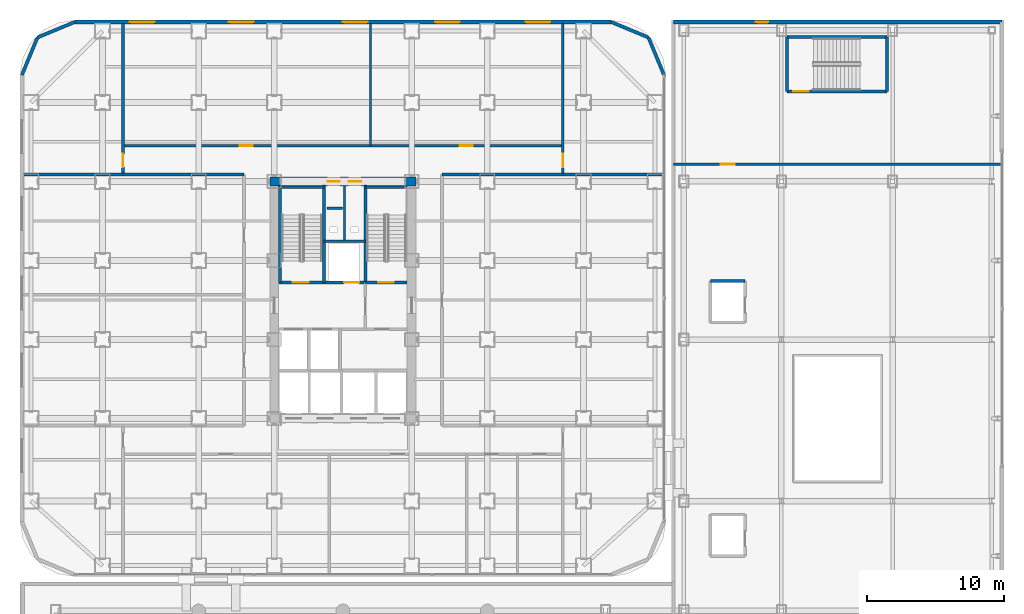
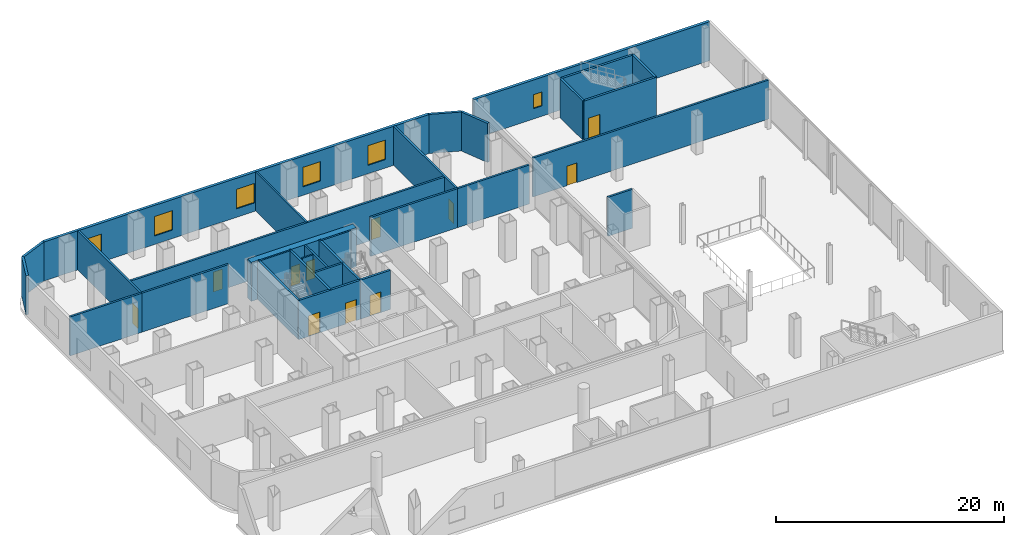
# One storey, part 21 of 26: 31 walls, 11 doors, 6 windows, 17 openings.
"""IFC4 building model written with IfcOpenShell, lengths in metres."""

import ifcopenshell
import ifcopenshell.guid

model = None  # the IFC model being written
_history = None  # IfcOwnerHistory: only IFC2X3 demands one
_inside = {}  # id of a spatial element -> (the spatial element, [elements in it])
_under = {}  # id of a project, library or spatial element -> (it, [spatial elements below it])
_declared = {}  # id of a project -> (the project, [libraries it declares])
_typed = {}  # id of a type object -> (the type object, [elements of that type])
_made_of = {}  # id of a material, layer set ... -> (it, [elements and type objects made of it])


def new_model(schema):
    """Start an empty IFC model of exactly this schema.

    Asked for "IFC4X3", IfcOpenShell would pick the latest addendum, in which some entities
    have other attributes; the version numbers below select the first issue.
    IFC2X3 requires an IfcOwnerHistory on every rooted entity: one is made here for all.
    """
    global model, _history
    if schema == "IFC4X3":
        model = ifcopenshell.file(schema_version=(4, 3, 0, 0))
    else:
        model = ifcopenshell.file(schema=schema)
    _inside.clear()
    _under.clear()
    _declared.clear()
    _typed.clear()
    _made_of.clear()
    _history = None
    if model.schema == "IFC2X3":
        org = make("IfcOrganization", Name="unknown")
        user = make(
            "IfcPersonAndOrganization",
            ThePerson=make("IfcPerson", FamilyName="unknown"),
            TheOrganization=org,
        )
        app = make(
            "IfcApplication",
            ApplicationDeveloper=org,
            Version="unknown",
            ApplicationFullName="unknown",
            ApplicationIdentifier="unknown",
        )
        _history = make(
            "IfcOwnerHistory",
            OwningUser=user,
            OwningApplication=app,
            ChangeAction="ADDED",
            CreationDate=0,
        )
    return model


def make(cls, **values):
    """One entity of the class cls with the attributes given. An attribute that is None is left unset."""
    return model.create_entity(
        cls, **{name: value for name, value in values.items() if value is not None}
    )


def rooted(cls, **values):
    """An entity with a GlobalId (a new one), such as an element, a storey or a relation."""
    return make(cls, GlobalId=ifcopenshell.guid.new(), OwnerHistory=_history, **values)


def si_unit(unit_type, name, prefix=None):
    """IfcSIUnit, for example si_unit("LENGTHUNIT", "METRE", prefix="MILLI")."""
    return make("IfcSIUnit", UnitType=unit_type, Prefix=prefix, Name=name)


def assignment(units):
    """IfcUnitAssignment: the units of a project."""
    return None if units is None else make("IfcUnitAssignment", Units=units)


def point(xyz):
    """IfcCartesianPoint."""
    return None if xyz is None else make("IfcCartesianPoint", Coordinates=xyz)


def direction(xyz):
    """IfcDirection."""
    return None if xyz is None else make("IfcDirection", DirectionRatios=xyz)


def frame(location, z_axis=None, x_axis=None):
    """IfcAxis2Placement3D, a coordinate frame: its origin and axes. An axis left out is left unset."""
    return make(
        "IfcAxis2Placement3D",
        Location=point(location),
        Axis=direction(z_axis),
        RefDirection=direction(x_axis),
    )


def frame_2d(location, x_axis=None):
    """IfcAxis2Placement2D, a coordinate frame in the plane: its origin and x axis."""
    return make(
        "IfcAxis2Placement2D", Location=point(location), RefDirection=direction(x_axis)
    )


def origin():
    """The frame at (0, 0, 0) with its axes left unset."""
    return frame((0.0, 0.0, 0.0))


def place(relative_to, where):
    """IfcLocalPlacement: puts the frame where relative to a parent placement (None: the world)."""
    return make(
        "IfcLocalPlacement", PlacementRelTo=relative_to, RelativePlacement=where
    )


def context(
    kind, dimensions, precision=None, world=None, true_north=None, identifier=None
):
    """IfcGeometricRepresentationContext, for example the 3D "Model" context."""
    return make(
        "IfcGeometricRepresentationContext",
        ContextIdentifier=identifier,
        ContextType=kind,
        CoordinateSpaceDimension=dimensions,
        Precision=precision,
        WorldCoordinateSystem=world,
        TrueNorth=true_north,
    )


def subcontext(parent, identifier, kind, view, scale=None):
    """IfcGeometricRepresentationSubContext, for example "Body" below "Model"."""
    return make(
        "IfcGeometricRepresentationSubContext",
        ContextIdentifier=identifier,
        ContextType=kind,
        ParentContext=parent,
        TargetScale=scale,
        TargetView=view,
    )


def project(units=None, contexts=None):
    """IfcProject with its units and contexts."""
    return rooted(
        "IfcProject",
        Name="project",
        RepresentationContexts=contexts,
        UnitsInContext=assignment(units),
    )


def spatial(cls, under=None, at=None, **own):
    """A site, building, storey or space (cls), placed at a placement, below another one or the project."""
    s = rooted(cls, ObjectPlacement=at, **own)
    if under is not None:
        _under.setdefault(under.id(), (under, []))[1].append(s)
    return s


def profile(cls, at=None, kind="AREA", **sizes):
    """A parametric profile (cls). Its sizes go by their IFC names, for example OverallWidth=200.0."""
    return make(cls, ProfileType=kind, Position=at, **sizes)


def rectangle(**sizes):
    """IfcRectangleProfileDef."""
    return profile("IfcRectangleProfileDef", **sizes)


def extrude(swept, where, along, depth):
    """IfcExtrudedAreaSolid: the profile swept, set in the frame where, extruded along a direction by depth."""
    return make(
        "IfcExtrudedAreaSolid",
        SweptArea=swept,
        Position=where,
        ExtrudedDirection=direction(along),
        Depth=depth,
    )


def shape(context_of_items, identifier, shape_type, items):
    """IfcShapeRepresentation: the items that make up one representation, for example the "Body"."""
    return make(
        "IfcShapeRepresentation",
        ContextOfItems=context_of_items,
        RepresentationIdentifier=identifier,
        RepresentationType=shape_type,
        Items=items,
    )


def material(Name=None, Category=None):
    """IfcMaterial."""
    return make("IfcMaterial", Name=Name, Category=Category)


def layer(
    of_material, thickness, ventilated=None, Name=None, Category=None, Priority=None
):
    """IfcMaterialLayer: one layer of a wall or slab, of a material (None: an air gap)."""
    return make(
        "IfcMaterialLayer",
        Material=of_material,
        LayerThickness=thickness,
        IsVentilated=ventilated,
        Name=Name,
        Category=Category,
        Priority=Priority,
    )


def layer_set(layers, Name=None):
    """IfcMaterialLayerSet."""
    return make("IfcMaterialLayerSet", MaterialLayers=layers, LayerSetName=Name)


def made_of(thing, what):
    """Note that an element or type object is made of a material, layer set ...; save() writes the relation."""
    if what is not None:
        _made_of.setdefault(what.id(), (what, []))[1].append(thing)
    return thing


def type_object(cls, material=None, **own):
    """A type object (cls), such as IfcWallType, which elements share."""
    return made_of(rooted(cls, **own), material)


def element(
    cls,
    number,
    at=None,
    inside=None,
    cuts=None,
    type_object=None,
    material=None,
    context=None,
    identifier="Body",
    shape_type=None,
    held_by="IfcProductDefinitionShape",
    body=None,
    shapes=None,
    **own,
):
    """One element of the class cls, such as IfcWall. Its Tag is "e" and its number.

    at: its placement. inside: the storey or other place that contains it. cuts: it is an
    opening in that element (IfcRelVoidsElement). A single representation is given by context,
    identifier, shape_type and body (its items); several are given by shapes. held_by: the class
    of the entity that holds the representations. save() writes the other relations.
    """
    e = rooted(cls, Tag="e%d" % number, ObjectPlacement=at, **own)
    if body is not None:
        shapes = [shape(context, identifier, shape_type, body)]
    if shapes is not None:
        e.Representation = make(held_by, Representations=shapes)
    if inside is not None:
        _inside.setdefault(inside.id(), (inside, []))[1].append(e)
    if cuts is not None:
        rooted(
            "IfcRelVoidsElement", RelatingBuildingElement=cuts, RelatedOpeningElement=e
        )
    if type_object is not None:
        _typed.setdefault(type_object.id(), (type_object, []))[1].append(e)
    return made_of(e, material)


def fill(opening, filler):
    """IfcRelFillsElement: the door or window that sits in an opening."""
    return rooted(
        "IfcRelFillsElement",
        RelatingOpeningElement=opening,
        RelatedBuildingElement=filler,
    )


def aggregate(whole, parts):
    """IfcRelAggregates: a whole, such as a stair, and the parts it consists of."""
    return rooted("IfcRelAggregates", RelatingObject=whole, RelatedObjects=parts)


def save(model, path):
    """Write the relations noted so far, then the file.

    IfcRelAggregates (storeys below a building ...), IfcRelContainedInSpatialStructure (elements
    in a storey), IfcRelDefinesByType, IfcRelAssociatesMaterial and IfcRelDeclares: one each for
    every whole, place, type object, material and project.
    """
    for whole, parts in _under.values():
        aggregate(whole, parts)
    for where, things in _inside.values():
        rooted(
            "IfcRelContainedInSpatialStructure",
            RelatedElements=things,
            RelatingStructure=where,
        )
    for kind, things in _typed.values():
        rooted("IfcRelDefinesByType", RelatedObjects=things, RelatingType=kind)
    for what, things in _made_of.values():
        rooted("IfcRelAssociatesMaterial", RelatedObjects=things, RelatingMaterial=what)
    for by, libraries in _declared.values():
        rooted("IfcRelDeclares", RelatingContext=by, RelatedDefinitions=libraries)
    model.write(path)


model = new_model("IFC4")

# Units and contexts
model_context = context("Model", 3, precision=1e-05, world=origin(), true_north=direction((0.0, 1.0)))
body_context = subcontext(model_context, "Body", "Model", "MODEL_VIEW")
ifc_project = project(units=[si_unit("LENGTHUNIT", "METRE"), si_unit("AREAUNIT", "SQUARE_METRE"), si_unit("VOLUMEUNIT", "CUBIC_METRE"), si_unit("PLANEANGLEUNIT", "RADIAN"), si_unit("MASSUNIT", "GRAM", prefix="KILO")], contexts=[model_context])

# Site, building, storey
site_placement = place(None, origin())
site = spatial("IfcSite", under=ifc_project, at=site_placement, CompositionType="ELEMENT")
building_placement = place(site_placement, origin())
building = spatial("IfcBuilding", under=site, at=building_placement, Name="Kolveth Station Tower", CompositionType="ELEMENT")
storey_placement = place(building_placement, frame((0.0, 0.0, 4.5)))
storey = spatial("IfcBuildingStorey", under=building, at=storey_placement, Name="L01", CompositionType="ELEMENT", Elevation=4.5)

# Wall, openings, doors
ifc_material_1 = material(Name="Concrete C60/75", Category="concrete")
ifc_layer_1 = layer(ifc_material_1, 0.64990234375)
ifc_layer_set_1 = layer_set([ifc_layer_1], Name="Concrete C60/75")
wall_type_1 = type_object("IfcWallType", Name="Wall_CW-650", PredefinedType="SHEAR", material=ifc_layer_set_1)
wall_1_placement = place(storey_placement, frame((18.175048828125, 28.75, 0.0), z_axis=(0.0, 0.0, 1.0), x_axis=(1.0, 0.0, 0.0)))
wall_1 = element("IfcWall", 1, at=wall_1_placement, inside=storey, type_object=wall_type_1, Name="L01 Core RC Shear Wall N", PredefinedType="SHEAR", context=body_context, shape_type="SweptSolid", body=[
    extrude(rectangle(XDim=10.64990234375, YDim=0.64990234375, at=frame_2d((5.324951171875, 0.0))), origin(), (0.0, 0.0, 1.0), 4.179931640625),
])
opening_1_placement = place(wall_1_placement, frame((4.205078125, 0.0, 0.0)))
opening_1 = element("IfcOpeningElement", 2, at=opening_1_placement, cuts=wall_1, Name="Opening RD1", PredefinedType="OPENING", context=body_context, shape_type="SweptSolid", body=[
    extrude(rectangle(XDim=0.89990234375, YDim=2.050048828125, at=frame_2d((0.449951171875, 1.02490234375))), frame((0.0, 0.3349609375, 0.0), z_axis=(0.0, -1.0, 0.0), x_axis=(1.0, 0.0, 0.0)), (0.0, 0.0, 1.0), 0.669921875),
])
opening_2_placement = place(wall_1_placement, frame((5.7451171875, 0.0, 0.0)))
opening_2 = element("IfcOpeningElement", 3, at=opening_2_placement, cuts=wall_1, Name="Opening RD1", PredefinedType="OPENING", context=body_context, shape_type="SweptSolid", body=[
    extrude(rectangle(XDim=0.89990234375, YDim=2.050048828125, at=frame_2d((0.449951171875, 1.02490234375))), frame((0.0, 0.3349609375, 0.0), z_axis=(0.0, -1.0, 0.0), x_axis=(1.0, 0.0, 0.0)), (0.0, 0.0, 1.0), 0.669921875),
])
ifc_material_2 = material(Name="Fire-rated Steel S355 riser access leaf", Category="steel")
door_type_1 = type_object("IfcDoorType", Name="Door_RD1", OperationType="NOTDEFINED", PredefinedType="DOOR", material=ifc_material_2)
door_1_placement = place(opening_1_placement, origin())
door_1 = element("IfcDoor", 4, at=door_1_placement, inside=storey, type_object=door_type_1, Name="L01 Electrical Riser Access Door", OperationType="SINGLE_SWING_RIGHT", OverallHeight=2.050048828125, OverallWidth=0.89990234375, PredefinedType="DOOR", context=body_context, shape_type="SweptSolid", body=[
    extrude(rectangle(XDim=0.89990234375, YDim=2.050048828125, at=frame_2d((0.449951171875, 1.02490234375))), frame((0.0, 0.02490234375, 0.0), z_axis=(0.0, -1.0, 0.0), x_axis=(1.0, 0.0, 0.0)), (0.0, 0.0, 1.0), 0.050048828125),
])
fill(opening_1, door_1)
door_2_placement = place(opening_2_placement, origin())
door_2 = element("IfcDoor", 5, at=door_2_placement, inside=storey, type_object=door_type_1, Name="L01 Smoke Duct Access Door", OperationType="SINGLE_SWING_LEFT", OverallHeight=2.050048828125, OverallWidth=0.89990234375, PredefinedType="DOOR", context=body_context, shape_type="SweptSolid", body=[
    extrude(rectangle(XDim=0.89990234375, YDim=2.050048828125, at=frame_2d((0.449951171875, 1.02490234375))), frame((0.0, 0.02490234375, 0.0), z_axis=(0.0, -1.0, 0.0), x_axis=(1.0, 0.0, 0.0)), (0.0, 0.0, 1.0), 0.050048828125),
])
fill(opening_2, door_2)

# Walls
ifc_material_3 = material(Name="Precast concrete C40/50", Category="concrete")
ifc_layer_2 = layer(ifc_material_3, 0.239990234375)
ifc_layer_set_2 = layer_set([ifc_layer_2], Name="Precast concrete C40/50")
wall_type_2 = type_object("IfcWallType", Name="Wall_EW-240", PredefinedType="SOLIDWALL", material=ifc_layer_set_2)
for number, where, z_axis, x_axis, name in (
    (6, (46.860107421875, 36.5, 0.0), (0.0, 0.0, 1.0), (-0.382689947836, 0.923876833688, 0.0), "L01 Podium Rounded Corner Wall 3"),
    (7, (45.7294921875, 39.2294921875, 0.0), (0.0, 0.0, 1.0), (-0.923876833688, 0.382689947836, 0.0), "L01 Podium Rounded Corner Wall 4"),
    (8, (4.0, 40.360107421875, 0.0), (0.0, 0.0, 1.0), (-0.923876833688, -0.382689947836, 0.0), "L01 Podium Rounded Corner Wall 5"),
    (9, (1.2705078125, 39.2294921875, 0.0), (0.0, 0.0, 1.0), (-0.382689947836, -0.923876833688, 0.0), "L01 Podium Rounded Corner Wall 6"),
):
    element("IfcWall", number, at=place(storey_placement, frame(where, z_axis=z_axis, x_axis=x_axis)), inside=storey, type_object=wall_type_2, Name=name, PredefinedType="SOLIDWALL", context=body_context, shape_type="SweptSolid", body=[
        extrude(rectangle(XDim=2.954345703125, YDim=0.239990234375, at=frame_2d((1.47705078125, 0.0))), origin(), (0.0, 0.0, 1.0), 4.179931640625),
    ])

# Wall, openings, windows
ifc_layer_3 = layer(ifc_material_3, 0.280029296875)
ifc_layer_set_3 = layer_set([ifc_layer_3], Name="Precast concrete C40/50")
wall_type_3 = type_object("IfcWallType", Name="Wall_EW-280", PredefinedType="SOLIDWALL", material=ifc_layer_set_3)
wall_2_placement = place(storey_placement, frame((4.0, 40.360107421875, 0.0), z_axis=(0.0, 0.0, 1.0), x_axis=(1.0, 0.0, 0.0)))
wall_2 = element("IfcWall", 10, at=wall_2_placement, inside=storey, type_object=wall_type_3, Name="L01 Tower Podium North Exterior Wall", PredefinedType="SOLIDWALL", context=body_context, shape_type="SweptSolid", body=[
    extrude(rectangle(XDim=39.0, YDim=0.280029296875, at=frame_2d((19.5, 0.0))), origin(), (0.0, 0.0, 1.0), 4.179931640625),
])
opening_3_placement = place(wall_2_placement, frame((4.0, 0.0, 0.89990234375)))
opening_3 = element("IfcOpeningElement", 11, at=opening_3_placement, cuts=wall_2, Name="Opening W2", PredefinedType="OPENING", context=body_context, shape_type="SweptSolid", body=[
    extrude(rectangle(XDim=1.800048828125, YDim=2.10009765625, at=frame_2d((0.89990234375, 1.050048828125))), frame((0.0, 0.14990234375, 0.0), z_axis=(0.0, -1.0, 0.0), x_axis=(1.0, 0.0, 0.0)), (0.0, 0.0, 1.0), 0.300048828125),
])
opening_4_placement = place(wall_2_placement, frame((11.199951171875, 0.0, 0.89990234375)))
opening_4 = element("IfcOpeningElement", 12, at=opening_4_placement, cuts=wall_2, Name="Opening W2", PredefinedType="OPENING", context=body_context, shape_type="SweptSolid", body=[
    extrude(rectangle(XDim=1.800048828125, YDim=2.10009765625, at=frame_2d((0.89990234375, 1.050048828125))), frame((0.0, 0.14990234375, 0.0), z_axis=(0.0, -1.0, 0.0), x_axis=(1.0, 0.0, 0.0)), (0.0, 0.0, 1.0), 0.300048828125),
])
opening_5_placement = place(wall_2_placement, frame((19.5, 0.0, 0.89990234375)))
opening_5 = element("IfcOpeningElement", 13, at=opening_5_placement, cuts=wall_2, Name="Opening W2", PredefinedType="OPENING", context=body_context, shape_type="SweptSolid", body=[
    extrude(rectangle(XDim=1.800048828125, YDim=2.10009765625, at=frame_2d((0.89990234375, 1.050048828125))), frame((0.0, 0.14990234375, 0.0), z_axis=(0.0, -1.0, 0.0), x_axis=(1.0, 0.0, 0.0)), (0.0, 0.0, 1.0), 0.300048828125),
])
opening_6_placement = place(wall_2_placement, frame((26.199951171875, 0.0, 0.89990234375)))
opening_6 = element("IfcOpeningElement", 14, at=opening_6_placement, cuts=wall_2, Name="Opening W2", PredefinedType="OPENING", context=body_context, shape_type="SweptSolid", body=[
    extrude(rectangle(XDim=1.800048828125, YDim=2.10009765625, at=frame_2d((0.89990234375, 1.050048828125))), frame((0.0, 0.14990234375, 0.0), z_axis=(0.0, -1.0, 0.0), x_axis=(1.0, 0.0, 0.0)), (0.0, 0.0, 1.0), 0.300048828125),
])
opening_7_placement = place(wall_2_placement, frame((32.800048828125, 0.0, 0.89990234375)))
opening_7 = element("IfcOpeningElement", 15, at=opening_7_placement, cuts=wall_2, Name="Opening W2", PredefinedType="OPENING", context=body_context, shape_type="SweptSolid", body=[
    extrude(rectangle(XDim=1.800048828125, YDim=2.10009765625, at=frame_2d((0.89990234375, 1.050048828125))), frame((0.0, 0.14990234375, 0.0), z_axis=(0.0, -1.0, 0.0), x_axis=(1.0, 0.0, 0.0)), (0.0, 0.0, 1.0), 0.300048828125),
])
ifc_material_4 = material(Name="Black anodized aluminium 6063-T6 and low-E dark glass", Category="aluminium")
window_type_1 = type_object("IfcWindowType", Name="Win_W2", PartitioningType="SINGLE_PANEL", PredefinedType="WINDOW", material=ifc_material_4)
window_1_placement = place(opening_3_placement, origin())
window_1 = element("IfcWindow", 16, at=window_1_placement, inside=storey, type_object=window_type_1, Name="L01 Tower Podium North Window 1", OverallHeight=2.10009765625, OverallWidth=1.800048828125, PartitioningType="SINGLE_PANEL", PredefinedType="WINDOW", context=body_context, shape_type="SweptSolid", body=[
    extrude(rectangle(XDim=1.800048828125, YDim=2.10009765625, at=frame_2d((0.89990234375, 1.050048828125))), frame((0.0, 0.030029296875, 0.0), z_axis=(0.0, -1.0, 0.0), x_axis=(1.0, 0.0, 0.0)), (0.0, 0.0, 1.0), 0.06005859375),
])
fill(opening_3, window_1)
window_2_placement = place(opening_4_placement, origin())
window_2 = element("IfcWindow", 17, at=window_2_placement, inside=storey, type_object=window_type_1, Name="L01 Tower Podium North Window 2", OverallHeight=2.10009765625, OverallWidth=1.800048828125, PartitioningType="SINGLE_PANEL", PredefinedType="WINDOW", context=body_context, shape_type="SweptSolid", body=[
    extrude(rectangle(XDim=1.800048828125, YDim=2.10009765625, at=frame_2d((0.89990234375, 1.050048828125))), frame((0.0, 0.030029296875, 0.0), z_axis=(0.0, -1.0, 0.0), x_axis=(1.0, 0.0, 0.0)), (0.0, 0.0, 1.0), 0.06005859375),
])
fill(opening_4, window_2)
window_3_placement = place(opening_5_placement, origin())
window_3 = element("IfcWindow", 18, at=window_3_placement, inside=storey, type_object=window_type_1, Name="L01 Tower Podium North Window 3", OverallHeight=2.10009765625, OverallWidth=1.800048828125, PartitioningType="SINGLE_PANEL", PredefinedType="WINDOW", context=body_context, shape_type="SweptSolid", body=[
    extrude(rectangle(XDim=1.800048828125, YDim=2.10009765625, at=frame_2d((0.89990234375, 1.050048828125))), frame((0.0, 0.030029296875, 0.0), z_axis=(0.0, -1.0, 0.0), x_axis=(1.0, 0.0, 0.0)), (0.0, 0.0, 1.0), 0.06005859375),
])
fill(opening_5, window_3)
window_4_placement = place(opening_6_placement, origin())
window_4 = element("IfcWindow", 19, at=window_4_placement, inside=storey, type_object=window_type_1, Name="L01 Tower Podium North Window 4", OverallHeight=2.10009765625, OverallWidth=1.800048828125, PartitioningType="SINGLE_PANEL", PredefinedType="WINDOW", context=body_context, shape_type="SweptSolid", body=[
    extrude(rectangle(XDim=1.800048828125, YDim=2.10009765625, at=frame_2d((0.89990234375, 1.050048828125))), frame((0.0, 0.030029296875, 0.0), z_axis=(0.0, -1.0, 0.0), x_axis=(1.0, 0.0, 0.0)), (0.0, 0.0, 1.0), 0.06005859375),
])
fill(opening_6, window_4)
window_5_placement = place(opening_7_placement, origin())
window_5 = element("IfcWindow", 20, at=window_5_placement, inside=storey, type_object=window_type_1, Name="L01 Tower Podium North Window 5", OverallHeight=2.10009765625, OverallWidth=1.800048828125, PartitioningType="SINGLE_PANEL", PredefinedType="WINDOW", context=body_context, shape_type="SweptSolid", body=[
    extrude(rectangle(XDim=1.800048828125, YDim=2.10009765625, at=frame_2d((0.89990234375, 1.050048828125))), frame((0.0, 0.030029296875, 0.0), z_axis=(0.0, -1.0, 0.0), x_axis=(1.0, 0.0, 0.0)), (0.0, 0.0, 1.0), 0.06005859375),
])
fill(opening_7, window_5)

# Wall, opening, window
wall_3_placement = place(storey_placement, frame((47.5400390625, 40.35009765625, 0.0), z_axis=(0.0, 0.0, 1.0), x_axis=(1.0, 0.0, 0.0)))
wall_3 = element("IfcWall", 21, at=wall_3_placement, inside=storey, type_object=wall_type_3, Name="L01 Station Exterior Wall N1", PredefinedType="SOLIDWALL", context=body_context, shape_type="SweptSolid", body=[
    extrude(rectangle(XDim=23.909912109375, YDim=0.280029296875, at=frame_2d((11.955078125, 0.0))), origin(), (0.0, 0.0, 1.0), 4.179931640625),
])
opening_8_placement = place(wall_3_placement, frame((6.010009765625, 0.0, 1.10009765625)))
opening_8 = element("IfcOpeningElement", 22, at=opening_8_placement, cuts=wall_3, Name="Opening W8", PredefinedType="OPENING", context=body_context, shape_type="SweptSolid", body=[
    extrude(rectangle(XDim=0.89990234375, YDim=1.5, at=frame_2d((0.449951171875, 0.75))), frame((0.0, 0.14990234375, 0.0), z_axis=(0.0, -1.0, 0.0), x_axis=(1.0, 0.0, 0.0)), (0.0, 0.0, 1.0), 0.300048828125),
])
ifc_material_5 = material(Name="Black anodized aluminium 6063-T6 and frosted glass", Category="aluminium")
window_type_2 = type_object("IfcWindowType", Name="Win_W8", PartitioningType="SINGLE_PANEL", PredefinedType="WINDOW", material=ifc_material_5)
window_6_placement = place(opening_8_placement, origin())
window_6 = element("IfcWindow", 23, at=window_6_placement, inside=storey, type_object=window_type_2, Name="L01 Station Hall Window 4", OverallHeight=1.5, OverallWidth=0.89990234375, PartitioningType="SINGLE_PANEL", PredefinedType="WINDOW", context=body_context, shape_type="SweptSolid", body=[
    extrude(rectangle(XDim=0.89990234375, YDim=1.5, at=frame_2d((0.449951171875, 0.75))), frame((0.0, 0.030029296875, 0.0), z_axis=(0.0, -1.0, 0.0), x_axis=(1.0, 0.0, 0.0)), (0.0, 0.0, 1.0), 0.06005859375),
])
fill(opening_8, window_6)

# Walls
ifc_material_6 = material(Name="Acoustic double-stud gypsum partition")
ifc_layer_4 = layer(ifc_material_6, 0.1650390625)
ifc_layer_set_4 = layer_set([ifc_layer_4], Name="Acoustic double-stud gypsum partition")
wall_type_4 = type_object("IfcWallType", Name="Wall_IW-165", PredefinedType="PARTITIONING", material=ifc_layer_set_4)
wall_4_placement = place(storey_placement, frame((18.8349609375, 28.3349609375, 0.0), z_axis=(0.0, 0.0, 1.0), x_axis=(1.0, 0.0, 0.0)))
element("IfcWall", 24, at=wall_4_placement, inside=storey, type_object=wall_type_4, Name="L01 Stair Shaft Wall WL-L01-ST1-N", PredefinedType="PARTITIONING", context=body_context, shape_type="SweptSolid", body=[
    extrude(rectangle(XDim=3.275146484375, YDim=0.1650390625, at=frame_2d((1.6376953125, 0.0))), origin(), (0.0, 0.0, 1.0), 4.179931640625),
])
wall_5_placement = place(storey_placement, frame((25.1298828125, 28.3349609375, 0.0), z_axis=(0.0, 0.0, 1.0), x_axis=(1.0, 0.0, 0.0)))
element("IfcWall", 25, at=wall_5_placement, inside=storey, type_object=wall_type_4, Name="L01 Stair Shaft Wall WL-L01-ST2-N", PredefinedType="PARTITIONING", context=body_context, shape_type="SweptSolid", body=[
    extrude(rectangle(XDim=3.03515625, YDim=0.1650390625, at=frame_2d((1.517578125, 0.0))), origin(), (0.0, 0.0, 1.0), 4.179931640625),
])
wall_6_placement = place(storey_placement, frame((23.6201171875, 24.39990234375, 0.0), z_axis=(0.0, 0.0, 1.0), x_axis=(0.0, 1.0, 0.0)))
element("IfcWall", 26, at=wall_6_placement, inside=storey, type_object=wall_type_4, Name="L01 Partition Wall WL-L01-RSR-M", PredefinedType="PARTITIONING", context=body_context, shape_type="SweptSolid", body=[
    extrude(rectangle(XDim=4.01513671875, YDim=0.1650390625, at=frame_2d((2.007568359375, 0.0))), origin(), (0.0, 0.0, 1.0), 4.179931640625),
])
wall_7_placement = place(storey_placement, frame((25.5, 31.35009765625, 0.0), z_axis=(0.0, 0.0, 1.0), x_axis=(0.0, 1.0, 0.0)))
element("IfcWall", 27, at=wall_7_placement, inside=storey, type_object=wall_type_4, Name="L01 Partition Wall WL-L01-TPN-P1", PredefinedType="PARTITIONING", context=body_context, shape_type="SweptSolid", body=[
    extrude(rectangle(XDim=8.89990234375, YDim=0.1650390625, at=frame_2d((4.449951171875, 0.0))), origin(), (0.0, 0.0, 1.0), 4.179931640625),
])
wall_8_placement = place(storey_placement, frame((22.35009765625, 26.800048828125, 0.0), z_axis=(0.0, 0.0, 1.0), x_axis=(1.0, 0.0, 0.0)))
element("IfcWall", 28, at=wall_8_placement, inside=storey, type_object=wall_type_4, Name="L01 Acoustic Riser Dry-Lining Wall", PredefinedType="PARTITIONING", context=body_context, shape_type="SweptSolid", body=[
    extrude(rectangle(XDim=1.099853515625, YDim=0.1650390625, at=frame_2d((0.5498046875, 0.0))), origin(), (0.0, 0.0, 1.0), 4.179931640625),
])
ifc_material_7 = material(Name="Acoustic fire-rated gypsum blockwork", Category="masonry")
ifc_layer_5 = layer(ifc_material_7, 0.199951171875)
ifc_layer_set_5 = layer_set([ifc_layer_5], Name="Acoustic fire-rated gypsum blockwork")
wall_type_5 = type_object("IfcWallType", Name="Wall_IW-200", PredefinedType="PARTITIONING", material=ifc_layer_set_5)
wall_9_placement = place(storey_placement, frame((22.110107421875, 24.39990234375, 0.0), z_axis=(0.0, 0.0, 1.0), x_axis=(1.0, 0.0, 0.0)))
element("IfcWall", 29, at=wall_9_placement, inside=storey, type_object=wall_type_5, Name="L01 Partition Wall WL-L01-RSR-S", PredefinedType="PARTITIONING", context=body_context, shape_type="SweptSolid", body=[
    extrude(rectangle(XDim=3.019775390625, YDim=0.199951171875, at=frame_2d((1.509765625, 0.0))), origin(), (0.0, 0.0, 1.0), 4.179931640625),
])

# Wall, openings, doors
wall_10_placement = place(storey_placement, frame((7.5, 31.35009765625, 0.0), z_axis=(0.0, 0.0, 1.0), x_axis=(1.0, 0.0, 0.0)))
wall_10 = element("IfcWall", 30, at=wall_10_placement, inside=storey, type_object=wall_type_5, Name="L01 Partition Wall WL-L01-BN", PredefinedType="PARTITIONING", context=body_context, shape_type="SweptSolid", body=[
    extrude(rectangle(XDim=32.0, YDim=0.199951171875, at=frame_2d((16.0, 0.0))), origin(), (0.0, 0.0, 1.0), 4.179931640625),
])
opening_9_placement = place(wall_10_placement, frame((8.5, 0.0, 0.0)))
opening_9 = element("IfcOpeningElement", 31, at=opening_9_placement, cuts=wall_10, Name="Opening ID1", PredefinedType="OPENING", context=body_context, shape_type="SweptSolid", body=[
    extrude(rectangle(XDim=0.949951171875, YDim=2.14990234375, at=frame_2d((0.47509765625, 1.074951171875))), frame((0.0, 0.10986328125, 0.0), z_axis=(0.0, -1.0, 0.0), x_axis=(1.0, 0.0, 0.0)), (0.0, 0.0, 1.0), 0.219970703125),
])
opening_10_placement = place(wall_10_placement, frame((24.5, 0.0, 0.0)))
opening_10 = element("IfcOpeningElement", 32, at=opening_10_placement, cuts=wall_10, Name="Opening ID1", PredefinedType="OPENING", context=body_context, shape_type="SweptSolid", body=[
    extrude(rectangle(XDim=0.949951171875, YDim=2.14990234375, at=frame_2d((0.47509765625, 1.074951171875))), frame((0.0, 0.10986328125, 0.0), z_axis=(0.0, -1.0, 0.0), x_axis=(1.0, 0.0, 0.0)), (0.0, 0.0, 1.0), 0.219970703125),
])
ifc_material_8 = material(Name="Acoustic hardwood leaf and aluminium frame", Category="wood")
door_type_2 = type_object("IfcDoorType", Name="Door_ID1", OperationType="NOTDEFINED", PredefinedType="DOOR", material=ifc_material_8)
door_3_placement = place(opening_9_placement, origin())
door_3 = element("IfcDoor", 33, at=door_3_placement, inside=storey, type_object=door_type_2, Name="L01 Retail Unit North Door", OperationType="SINGLE_SWING_RIGHT", OverallHeight=2.14990234375, OverallWidth=0.949951171875, PredefinedType="DOOR", context=body_context, shape_type="SweptSolid", body=[
    extrude(rectangle(XDim=0.949951171875, YDim=2.14990234375, at=frame_2d((0.47509765625, 1.074951171875))), frame((0.0, 0.02490234375, 0.0), z_axis=(0.0, -1.0, 0.0), x_axis=(1.0, 0.0, 0.0)), (0.0, 0.0, 1.0), 0.050048828125),
])
fill(opening_9, door_3)
door_4_placement = place(opening_10_placement, origin())
door_4 = element("IfcDoor", 34, at=door_4_placement, inside=storey, type_object=door_type_2, Name="L01 Podium Lounge Door", OperationType="SINGLE_SWING_LEFT", OverallHeight=2.14990234375, OverallWidth=0.949951171875, PredefinedType="DOOR", context=body_context, shape_type="SweptSolid", body=[
    extrude(rectangle(XDim=0.949951171875, YDim=2.14990234375, at=frame_2d((0.47509765625, 1.074951171875))), frame((0.0, 0.02490234375, 0.0), z_axis=(0.0, -1.0, 0.0), x_axis=(1.0, 0.0, 0.0)), (0.0, 0.0, 1.0), 0.050048828125),
])
fill(opening_10, door_4)

# Walls
for number, where, z_axis, x_axis, name in (
    (35, (7.5, 29.25, 0.0), (0.0, 0.0, 1.0), (1.0, 0.0, 0.0), "L01 Partition Wall WL-L01-BNWB"),
    (36, (30.699951171875, 29.25, 0.0), (0.0, 0.0, 1.0), (1.0, 0.0, 0.0), "L01 Partition Wall WL-L01-BNEB"),
):
    element("IfcWall", number, at=place(storey_placement, frame(where, z_axis=z_axis, x_axis=x_axis)), inside=storey, type_object=wall_type_5, Name=name, PredefinedType="PARTITIONING", context=body_context, shape_type="SweptSolid", body=[
        extrude(rectangle(XDim=8.800048828125, YDim=0.199951171875, at=frame_2d((4.39990234375, 0.0))), origin(), (0.0, 0.0, 1.0), 4.179931640625),
    ])

# Wall, opening, door
wall_11_placement = place(storey_placement, frame((7.5, 29.25, 0.0), z_axis=(0.0, 0.0, 1.0), x_axis=(0.0, 1.0, 0.0)))
wall_11 = element("IfcWall", 37, at=wall_11_placement, inside=storey, type_object=wall_type_5, Name="L01 Partition Wall WL-L01-BWN", PredefinedType="PARTITIONING", context=body_context, shape_type="SweptSolid", body=[
    extrude(rectangle(XDim=11.0, YDim=0.199951171875, at=frame_2d((5.5, 0.0))), origin(), (0.0, 0.0, 1.0), 4.179931640625),
])
opening_11_placement = place(wall_11_placement, frame((0.550048828125, 0.0, 0.0)))
opening_11 = element("IfcOpeningElement", 38, at=opening_11_placement, cuts=wall_11, Name="Opening ID1", PredefinedType="OPENING", context=body_context, shape_type="SweptSolid", body=[
    extrude(rectangle(XDim=0.949951171875, YDim=2.14990234375, at=frame_2d((0.47509765625, 1.074951171875))), frame((0.0, 0.10986328125, 0.0), z_axis=(0.0, -1.0, 0.0), x_axis=(1.0, 0.0, 0.0)), (0.0, 0.0, 1.0), 0.219970703125),
])
door_5_placement = place(opening_11_placement, frame((0.949951171875, 0.0, 0.0), z_axis=(0.0, 0.0, 1.0), x_axis=(-1.0, 0.0, 0.0)))
door_5 = element("IfcDoor", 39, at=door_5_placement, inside=storey, type_object=door_type_2, Name="L01 Podium Retail Unit CNW Door", OperationType="SINGLE_SWING_LEFT", OverallHeight=2.14990234375, OverallWidth=0.949951171875, PredefinedType="DOOR", context=body_context, shape_type="SweptSolid", body=[
    extrude(rectangle(XDim=0.949951171875, YDim=2.14990234375, at=frame_2d((0.47509765625, 1.074951171875))), frame((0.0, 0.02490234375, 0.0), z_axis=(0.0, -1.0, 0.0), x_axis=(1.0, 0.0, 0.0)), (0.0, 0.0, 1.0), 0.050048828125),
])
fill(opening_11, door_5)

wall_12_placement = place(storey_placement, frame((39.5, 29.25, 0.0), z_axis=(0.0, 0.0, 1.0), x_axis=(0.0, 1.0, 0.0)))
wall_12 = element("IfcWall", 40, at=wall_12_placement, inside=storey, type_object=wall_type_5, Name="L01 Partition Wall WL-L01-BEN", PredefinedType="PARTITIONING", context=body_context, shape_type="SweptSolid", body=[
    extrude(rectangle(XDim=11.0, YDim=0.199951171875, at=frame_2d((5.5, 0.0))), origin(), (0.0, 0.0, 1.0), 4.179931640625),
])
opening_12_placement = place(wall_12_placement, frame((0.550048828125, 0.0, 0.0)))
opening_12 = element("IfcOpeningElement", 41, at=opening_12_placement, cuts=wall_12, Name="Opening ID1", PredefinedType="OPENING", context=body_context, shape_type="SweptSolid", body=[
    extrude(rectangle(XDim=0.949951171875, YDim=2.14990234375, at=frame_2d((0.47509765625, 1.074951171875))), frame((0.0, 0.10986328125, 0.0), z_axis=(0.0, -1.0, 0.0), x_axis=(1.0, 0.0, 0.0)), (0.0, 0.0, 1.0), 0.219970703125),
])
door_6_placement = place(opening_12_placement, origin())
door_6 = element("IfcDoor", 42, at=door_6_placement, inside=storey, type_object=door_type_2, Name="L01 Podium Retail Unit CNE Door", OperationType="SINGLE_SWING_LEFT", OverallHeight=2.14990234375, OverallWidth=0.949951171875, PredefinedType="DOOR", context=body_context, shape_type="SweptSolid", body=[
    extrude(rectangle(XDim=0.949951171875, YDim=2.14990234375, at=frame_2d((0.47509765625, 1.074951171875))), frame((0.0, 0.02490234375, 0.0), z_axis=(0.0, -1.0, 0.0), x_axis=(1.0, 0.0, 0.0)), (0.0, 0.0, 1.0), 0.050048828125),
])
fill(opening_12, door_6)

# Walls
for number, where, z_axis, x_axis, name in (
    (43, (0.25, 29.25, 0.0), (0.0, 0.0, 1.0), (1.0, 0.0, 0.0), "L01 Partition Wall WL-L01-BWM2"),
    (44, (39.5, 29.25, 0.0), (0.0, 0.0, 1.0), (1.0, 0.0, 0.0), "L01 Partition Wall WL-L01-BEM2"),
):
    element("IfcWall", number, at=place(storey_placement, frame(where, z_axis=z_axis, x_axis=x_axis)), inside=storey, type_object=wall_type_5, Name=name, PredefinedType="PARTITIONING", context=body_context, shape_type="SweptSolid", body=[
        extrude(rectangle(XDim=7.25, YDim=0.199951171875, at=frame_2d((3.625, 0.0))), origin(), (0.0, 0.0, 1.0), 4.179931640625),
    ])
wall_13_placement = place(storey_placement, frame((50.25, 21.5, 0.0), z_axis=(0.0, 0.0, 1.0), x_axis=(1.0, 0.0, 0.0)))
element("IfcWall", 45, at=wall_13_placement, inside=storey, type_object=wall_type_5, Name="L01 Partition Wall WL-L01-SL2-N", PredefinedType="PARTITIONING", context=body_context, shape_type="SweptSolid", body=[
    extrude(rectangle(XDim=2.5, YDim=0.199951171875, at=frame_2d((1.25, 0.0))), origin(), (0.0, 0.0, 1.0), 4.179931640625),
])

# Wall, opening, door
wall_14_placement = place(storey_placement, frame((47.550048828125, 30.0, 0.0), z_axis=(0.0, 0.0, 1.0), x_axis=(1.0, 0.0, 0.0)))
wall_14 = element("IfcWall", 46, at=wall_14_placement, inside=storey, type_object=wall_type_5, Name="L01 Partition Wall WL-L01-STN-DIV", PredefinedType="PARTITIONING", context=body_context, shape_type="SweptSolid", body=[
    extrude(rectangle(XDim=23.89990234375, YDim=0.199951171875, at=frame_2d((11.949951171875, 0.0))), origin(), (0.0, 0.0, 1.0), 4.179931640625),
])
opening_13_placement = place(wall_14_placement, frame((3.449951171875, 0.0, 0.0)))
opening_13 = element("IfcOpeningElement", 47, at=opening_13_placement, cuts=wall_14, Name="Opening FG1", PredefinedType="OPENING", context=body_context, shape_type="SweptSolid", body=[
    extrude(rectangle(XDim=1.0, YDim=2.10009765625, at=frame_2d((0.5, 1.050048828125))), frame((0.0, 0.10986328125, 0.0), z_axis=(0.0, -1.0, 0.0), x_axis=(1.0, 0.0, 0.0)), (0.0, 0.0, 1.0), 0.219970703125),
])
ifc_material_9 = material(Name="Brushed stainless steel station fare gate", Category="steel")
door_type_3 = type_object("IfcDoorType", Name="Door_FG1", OperationType="NOTDEFINED", PredefinedType="GATE", material=ifc_material_9)
door_7_placement = place(opening_13_placement, origin())
door_7 = element("IfcDoor", 48, at=door_7_placement, inside=storey, type_object=door_type_3, Name="L01 Station Concourse Gate", OperationType="DOUBLE_DOOR_SINGLE_SWING", OverallHeight=2.10009765625, OverallWidth=1.0, PredefinedType="GATE", context=body_context, shape_type="SweptSolid", body=[
    extrude(rectangle(XDim=1.0, YDim=2.10009765625, at=frame_2d((0.5, 1.050048828125))), frame((0.0, 0.02490234375, 0.0), z_axis=(0.0, -1.0, 0.0), x_axis=(1.0, 0.0, 0.0)), (0.0, 0.0, 1.0), 0.050048828125),
])
fill(opening_13, door_7)

# Walls
ifc_material_10 = material(Name="Concrete C40/50", Category="concrete")
ifc_layer_6 = layer(ifc_material_10, 0.219970703125)
ifc_layer_set_6 = layer_set([ifc_layer_6], Name="Concrete C40/50")
wall_type_6 = type_object("IfcWallType", Name="Wall_IW-220", PredefinedType="SOLIDWALL", material=ifc_layer_set_6)
for number, where, z_axis, x_axis, name in (
    (49, (18.929931640625, 21.389892578125, 0.0), (0.0, 0.0, 1.0), (0.0, 1.0, 0.0), "L01 Stair Shaft Wall WL-L01-ST1-W"),
    (50, (22.110107421875, 21.389892578125, 0.0), (0.0, 0.0, 1.0), (0.0, 1.0, 0.0), "L01 Stair Shaft Wall WL-L01-ST1-E"),
    (51, (25.1298828125, 21.389892578125, 0.0), (0.0, 0.0, 1.0), (0.0, 1.0, 0.0), "L01 Stair Shaft Wall WL-L01-ST2-W"),
):
    element("IfcWall", number, at=place(storey_placement, frame(where, z_axis=z_axis, x_axis=x_axis)), inside=storey, type_object=wall_type_6, Name=name, PredefinedType="SOLIDWALL", context=body_context, shape_type="SweptSolid", body=[
        extrude(rectangle(XDim=7.110107421875, YDim=0.219970703125, at=frame_2d((3.55517578125, 0.0))), origin(), (0.0, 0.0, 1.0), 4.179931640625),
    ])

# Wall, openings, doors
wall_15_placement = place(storey_placement, frame((18.8349609375, 21.389892578125, 0.0), z_axis=(0.0, 0.0, 1.0), x_axis=(1.0, 0.0, 0.0)))
wall_15 = element("IfcWall", 52, at=wall_15_placement, inside=storey, type_object=wall_type_6, Name="L01 Stair Shaft Wall WL-L01-ST1-S", PredefinedType="SOLIDWALL", context=body_context, shape_type="SweptSolid", body=[
    extrude(rectangle(XDim=6.294921875, YDim=0.219970703125, at=frame_2d((3.1474609375, 0.0))), origin(), (0.0, 0.0, 1.0), 4.179931640625),
])
opening_14_placement = place(wall_15_placement, frame((1.014892578125, 0.0, 0.0)))
opening_14 = element("IfcOpeningElement", 53, at=opening_14_placement, cuts=wall_15, Name="Opening FD1", PredefinedType="OPENING", context=body_context, shape_type="SweptSolid", body=[
    extrude(rectangle(XDim=1.14990234375, YDim=2.199951171875, at=frame_2d((0.574951171875, 1.10009765625))), frame((0.0, 0.119873046875, 0.0), z_axis=(0.0, -1.0, 0.0), x_axis=(1.0, 0.0, 0.0)), (0.0, 0.0, 1.0), 0.239990234375),
])
opening_15_placement = place(wall_15_placement, frame((4.7451171875, 0.0, 0.0)))
opening_15 = element("IfcOpeningElement", 54, at=opening_15_placement, cuts=wall_15, Name="Opening LD1", PredefinedType="OPENING", context=body_context, shape_type="SweptSolid", body=[
    extrude(rectangle(XDim=1.10009765625, YDim=2.25, at=frame_2d((0.550048828125, 1.125))), frame((0.0, 0.119873046875, 0.0), z_axis=(0.0, -1.0, 0.0), x_axis=(1.0, 0.0, 0.0)), (0.0, 0.0, 1.0), 0.239990234375),
])
ifc_material_11 = material(Name="Fire-rated Steel S355 leaf and frame", Category="steel")
door_type_4 = type_object("IfcDoorType", Name="Door_FD1", OperationType="NOTDEFINED", PredefinedType="DOOR", material=ifc_material_11)
door_8_placement = place(opening_14_placement, frame((1.14990234375, 0.0, 0.0), z_axis=(0.0, 0.0, 1.0), x_axis=(-1.0, 0.0, 0.0)))
door_8 = element("IfcDoor", 55, at=door_8_placement, inside=storey, type_object=door_type_4, Name="L01 Stair ST1 Fire Door", OperationType="SINGLE_SWING_RIGHT", OverallHeight=2.199951171875, OverallWidth=1.14990234375, PredefinedType="DOOR", context=body_context, shape_type="SweptSolid", body=[
    extrude(rectangle(XDim=1.14990234375, YDim=2.199951171875, at=frame_2d((0.574951171875, 1.10009765625))), frame((0.0, 0.02490234375, 0.0), z_axis=(0.0, -1.0, 0.0), x_axis=(1.0, 0.0, 0.0)), (0.0, 0.0, 1.0), 0.050048828125),
])
fill(opening_14, door_8)
ifc_material_12 = material(Name="Brushed stainless steel sliding landing doors", Category="steel")
door_type_5 = type_object("IfcDoorType", Name="Door_LD1", OperationType="NOTDEFINED", PredefinedType="DOOR", material=ifc_material_12)
door_9_placement = place(opening_15_placement, frame((1.10009765625, 0.0, 0.0), z_axis=(0.0, 0.0, 1.0), x_axis=(-1.0, 0.0, 0.0)))
door_9 = element("IfcDoor", 56, at=door_9_placement, inside=storey, type_object=door_type_5, Name="L01 Service Lift SV1 Landing Door", OperationType="DOUBLE_DOOR_SLIDING", OverallHeight=2.25, OverallWidth=1.10009765625, PredefinedType="DOOR", context=body_context, shape_type="SweptSolid", body=[
    extrude(rectangle(XDim=1.10009765625, YDim=2.25, at=frame_2d((0.550048828125, 1.125))), frame((0.0, 0.02490234375, 0.0), z_axis=(0.0, -1.0, 0.0), x_axis=(1.0, 0.0, 0.0)), (0.0, 0.0, 1.0), 0.050048828125),
])
fill(opening_15, door_9)

# Wall, opening, door
wall_16_placement = place(storey_placement, frame((25.1298828125, 21.389892578125, 0.0), z_axis=(0.0, 0.0, 1.0), x_axis=(1.0, 0.0, 0.0)))
wall_16 = element("IfcWall", 57, at=wall_16_placement, inside=storey, type_object=wall_type_6, Name="L01 Stair Shaft Wall WL-L01-ST2-S", PredefinedType="SOLIDWALL", context=body_context, shape_type="SweptSolid", body=[
    extrude(rectangle(XDim=3.03515625, YDim=0.219970703125, at=frame_2d((1.517578125, 0.0))), origin(), (0.0, 0.0, 1.0), 4.179931640625),
])
opening_16_placement = place(wall_16_placement, frame((0.919921875, 0.0, 0.0)))
opening_16 = element("IfcOpeningElement", 58, at=opening_16_placement, cuts=wall_16, Name="Opening FD1", PredefinedType="OPENING", context=body_context, shape_type="SweptSolid", body=[
    extrude(rectangle(XDim=1.14990234375, YDim=2.199951171875, at=frame_2d((0.574951171875, 1.10009765625))), frame((0.0, 0.119873046875, 0.0), z_axis=(0.0, -1.0, 0.0), x_axis=(1.0, 0.0, 0.0)), (0.0, 0.0, 1.0), 0.239990234375),
])
door_10_placement = place(opening_16_placement, frame((1.14990234375, 0.0, 0.0), z_axis=(0.0, 0.0, 1.0), x_axis=(-1.0, 0.0, 0.0)))
door_10 = element("IfcDoor", 59, at=door_10_placement, inside=storey, type_object=door_type_4, Name="L01 Stair ST2 Fire Door", OperationType="SINGLE_SWING_LEFT", OverallHeight=2.199951171875, OverallWidth=1.14990234375, PredefinedType="DOOR", context=body_context, shape_type="SweptSolid", body=[
    extrude(rectangle(XDim=1.14990234375, YDim=2.199951171875, at=frame_2d((0.574951171875, 1.10009765625))), frame((0.0, 0.02490234375, 0.0), z_axis=(0.0, -1.0, 0.0), x_axis=(1.0, 0.0, 0.0)), (0.0, 0.0, 1.0), 0.050048828125),
])
fill(opening_16, door_10)

wall_17_placement = place(storey_placement, frame((55.800048828125, 35.300048828125, 0.0), z_axis=(0.0, 0.0, 1.0), x_axis=(1.0, 0.0, 0.0)))
wall_17 = element("IfcWall", 60, at=wall_17_placement, inside=storey, type_object=wall_type_6, Name="L01 Stair Shaft Wall WL-L01-ST3-S", PredefinedType="SOLIDWALL", context=body_context, shape_type="SweptSolid", body=[
    extrude(rectangle(XDim=7.300048828125, YDim=0.219970703125, at=frame_2d((3.64990234375, 0.0))), origin(), (0.0, 0.0, 1.0), 4.179931640625),
])
opening_17_placement = place(wall_17_placement, frame((0.449951171875, 0.0, 0.0)))
opening_17 = element("IfcOpeningElement", 61, at=opening_17_placement, cuts=wall_17, Name="Opening FD1", PredefinedType="OPENING", context=body_context, shape_type="SweptSolid", body=[
    extrude(rectangle(XDim=1.14990234375, YDim=2.199951171875, at=frame_2d((0.574951171875, 1.10009765625))), frame((0.0, 0.119873046875, 0.0), z_axis=(0.0, -1.0, 0.0), x_axis=(1.0, 0.0, 0.0)), (0.0, 0.0, 1.0), 0.239990234375),
])
door_11_placement = place(opening_17_placement, frame((1.14990234375, 0.0, 0.0), z_axis=(0.0, 0.0, 1.0), x_axis=(-1.0, 0.0, 0.0)))
door_11 = element("IfcDoor", 62, at=door_11_placement, inside=storey, type_object=door_type_4, Name="L01 Station Stair ST3 Door", OperationType="SINGLE_SWING_LEFT", OverallHeight=2.199951171875, OverallWidth=1.14990234375, PredefinedType="DOOR", context=body_context, shape_type="SweptSolid", body=[
    extrude(rectangle(XDim=1.14990234375, YDim=2.199951171875, at=frame_2d((0.574951171875, 1.10009765625))), frame((0.0, 0.02490234375, 0.0), z_axis=(0.0, -1.0, 0.0), x_axis=(1.0, 0.0, 0.0)), (0.0, 0.0, 1.0), 0.050048828125),
])
fill(opening_17, door_11)

# Walls
wall_18_placement = place(storey_placement, frame((55.800048828125, 39.260009765625, 0.0), z_axis=(0.0, 0.0, 1.0), x_axis=(1.0, 0.0, 0.0)))
element("IfcWall", 63, at=wall_18_placement, inside=storey, type_object=wall_type_6, Name="L01 Stair Shaft Wall WL-L01-ST3-N", PredefinedType="SOLIDWALL", context=body_context, shape_type="SweptSolid", body=[
    extrude(rectangle(XDim=7.300048828125, YDim=0.219970703125, at=frame_2d((3.64990234375, 0.0))), origin(), (0.0, 0.0, 1.0), 4.179931640625),
])
for number, where, z_axis, x_axis, name in (
    (64, (55.800048828125, 35.300048828125, 0.0), (0.0, 0.0, 1.0), (0.0, 1.0, 0.0), "L01 Stair Shaft Wall WL-L01-ST3-W"),
    (65, (63.10009765625, 35.300048828125, 0.0), (0.0, 0.0, 1.0), (0.0, 1.0, 0.0), "L01 Stair Shaft Wall WL-L01-ST3-E"),
):
    element("IfcWall", number, at=place(storey_placement, frame(where, z_axis=z_axis, x_axis=x_axis)), inside=storey, type_object=wall_type_6, Name=name, PredefinedType="SOLIDWALL", context=body_context, shape_type="SweptSolid", body=[
        extrude(rectangle(XDim=3.9599609375, YDim=0.219970703125, at=frame_2d((1.97998046875, 0.0))), origin(), (0.0, 0.0, 1.0), 4.179931640625),
    ])

save(model, "model.ifc")
